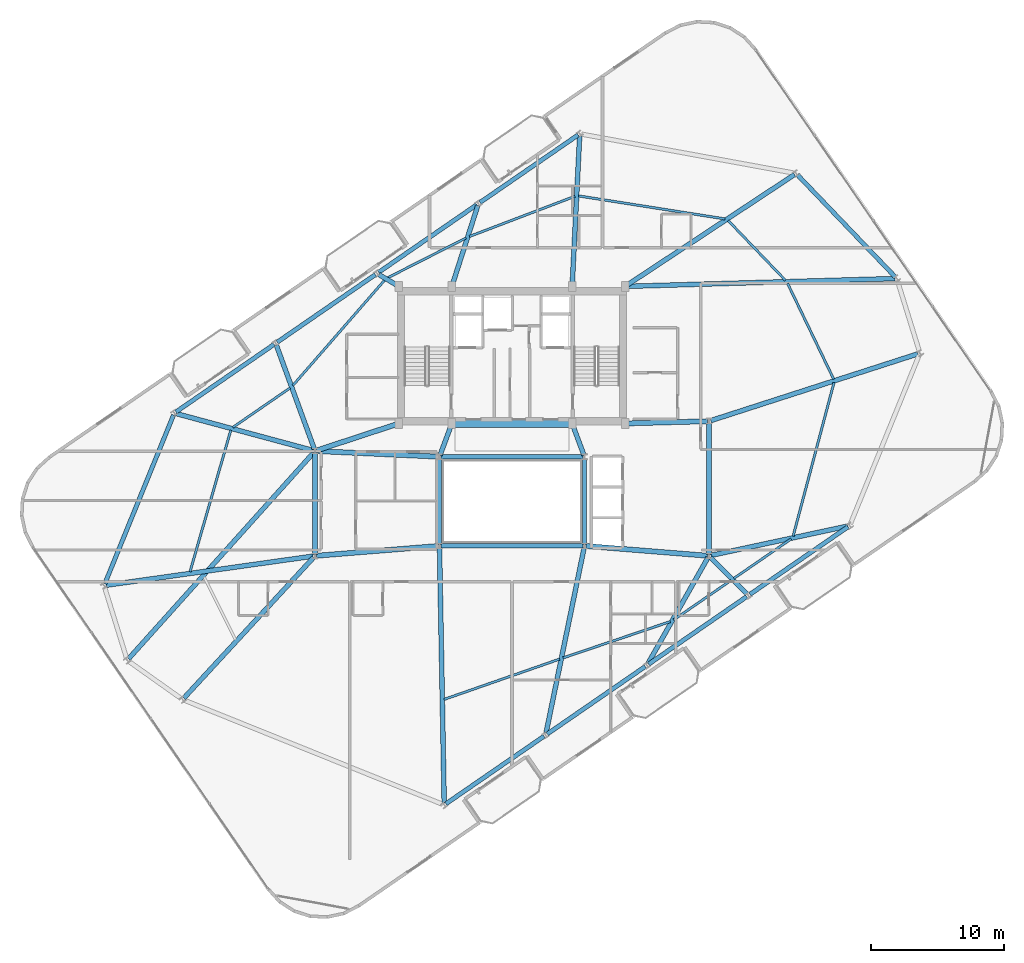
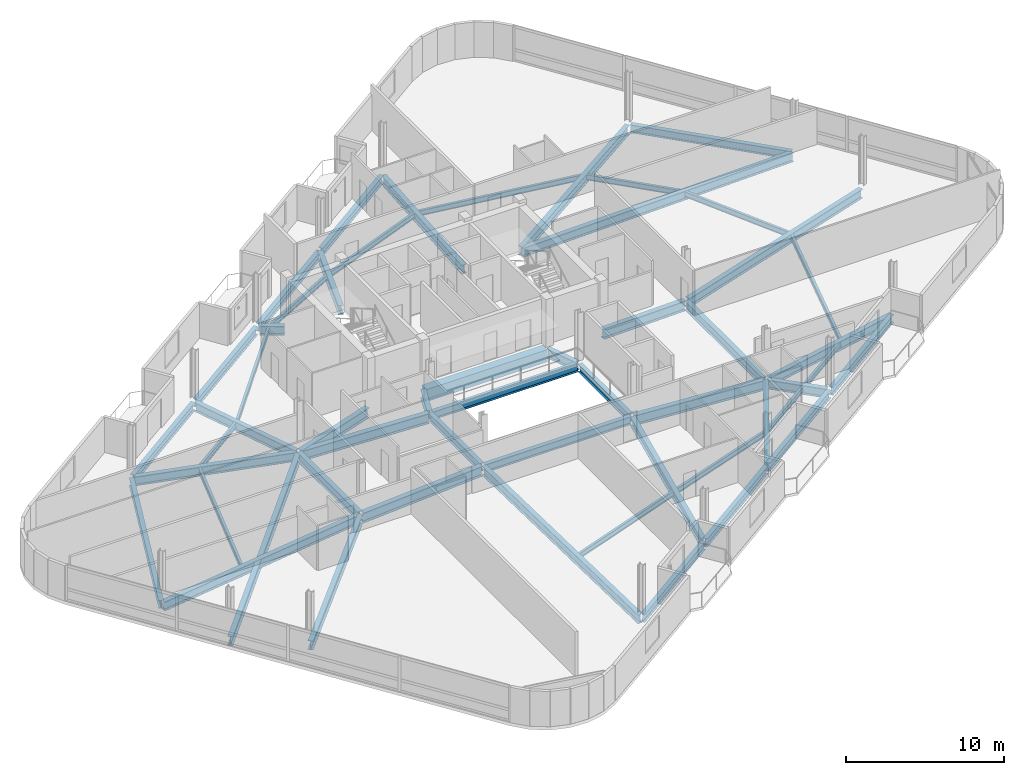
# One storey, part 8 of 23: 53 beams.
"""IFC4 building model written with IfcOpenShell, lengths in metres."""

from ifc_helpers import new_model, si_unit, direction, frame, origin, origin_2d, place, context, subcontext, project, spatial, rectangle, i_section, extrude, material, material_profile, profile_set, type_object, element, save


model = new_model("IFC4")

# Units and contexts
model_context = context("Model", 3, precision=1e-05, world=origin(), true_north=direction((0.0, 1.0)))
body_context = subcontext(model_context, "Body", "Model", "MODEL_VIEW")
ifc_project = project(units=[si_unit("LENGTHUNIT", "METRE"), si_unit("AREAUNIT", "SQUARE_METRE"), si_unit("VOLUMEUNIT", "CUBIC_METRE"), si_unit("PLANEANGLEUNIT", "RADIAN"), si_unit("MASSUNIT", "GRAM", prefix="KILO")], contexts=[model_context])

# Site, building, storey
site_placement = place(None, origin())
site = spatial("IfcSite", under=ifc_project, at=site_placement, CompositionType="ELEMENT")
building_placement = place(site_placement, origin())
building = spatial("IfcBuilding", under=site, at=building_placement, Name="Varnelok Gate Tower", CompositionType="ELEMENT")
storey_placement = place(building_placement, frame((0.0, 0.0, 273.0)))
storey = spatial("IfcBuildingStorey", under=building, at=storey_placement, Name="L70", CompositionType="ELEMENT", Elevation=273.0)

# Beams
ifc_material_1 = material(Name="Structural Steel ASTM A992 Grade 50", Category="steel")
ifc_material_profile_1 = material_profile(ifc_material_1, i_section(OverallWidth=0.180908203125, OverallDepth=0.4169921875, WebThickness=0.010986328125, FlangeThickness=0.018310546875, FilletRadius=0.013916015625, at=origin_2d()), Name="W16X57")
ifc_profile_set_1 = profile_set([ifc_material_profile_1], Name="Structural Steel ASTM A992 Grade 50")
beam_type_1 = type_object("IfcBeamType", Name="BM-JST-W16X57", PredefinedType="JOIST", material=ifc_profile_set_1)
beam_1_placement = place(storey_placement, frame((34.0947265625, 8.011962890625, -0.45849609375), z_axis=(0.944170416985, 0.329457468713, 0.0), x_axis=(-0.329457468713, 0.944170416985, 0.0)))
element("IfcBeam", 1, at=beam_1_placement, inside=storey, type_object=beam_type_1, Name="L70 Sector Floor Joist 1", PredefinedType="JOIST", context=body_context, shape_type="SweptSolid", body=[
    extrude(i_section(OverallWidth=0.180908203125, OverallDepth=0.4169921875, WebThickness=0.010986328125, FlangeThickness=0.018310546875, FilletRadius=0.013916015625, at=origin_2d()), origin(), (0.0, 0.0, 1.0), 9.1962890625),
])
beam_2_placement = place(storey_placement, frame((43.042236328125, 11.1328125, -0.45849609375), z_axis=(0.947127408854, 0.320857712075, 0.0), x_axis=(-0.320857712075, 0.947127408854, 0.0)))
element("IfcBeam", 2, at=beam_2_placement, inside=storey, type_object=beam_type_1, Name="L70 Sector Floor Joist 2", PredefinedType="JOIST", context=body_context, shape_type="SweptSolid", body=[
    extrude(i_section(OverallWidth=0.180908203125, OverallDepth=0.4169921875, WebThickness=0.010986328125, FlangeThickness=0.018310546875, FilletRadius=0.013916015625, at=origin_2d()), origin(), (0.0, 0.0, 1.0), 8.50390625),
])
for number, where, z_axis, x_axis, name in (
    (3, (51.34423828125, 13.985595703125, -0.45849609375), (0.823512453152, 0.567298192756, 0.0), (-0.567298192756, 0.823512453152, 0.0), "L70 Sector Floor Joist 3"),
    (4, (55.876708984375, 17.10791015625, -0.45849609375), (0.823549326959, 0.567244661557, 0.0), (-0.567244661557, 0.823549326959, 0.0), "L70 Sector Floor Joist 4"),
):
    element("IfcBeam", number, at=place(storey_placement, frame(where, z_axis=z_axis, x_axis=x_axis)), inside=storey, type_object=beam_type_1, Name=name, PredefinedType="JOIST", context=body_context, shape_type="SweptSolid", body=[
        extrude(i_section(OverallWidth=0.180908203125, OverallDepth=0.4169921875, WebThickness=0.010986328125, FlangeThickness=0.018310546875, FilletRadius=0.013916015625, at=origin_2d()), origin(), (0.0, 0.0, 1.0), 5.2236328125),
    ])
beam_3_placement = place(storey_placement, frame((60.329833984375, 20.285888671875, -0.45849609375), z_axis=(0.256998327168, 0.966411847937, 0.0), x_axis=(-0.966411847937, 0.256998327168, 0.0)))
element("IfcBeam", 5, at=beam_3_placement, inside=storey, type_object=beam_type_1, Name="L70 Sector Floor Joist 5", PredefinedType="JOIST", context=body_context, shape_type="SweptSolid", body=[
    extrude(i_section(OverallWidth=0.180908203125, OverallDepth=0.4169921875, WebThickness=0.010986328125, FlangeThickness=0.018310546875, FilletRadius=0.013916015625, at=origin_2d()), origin(), (0.0, 0.0, 1.0), 11.941162109375),
])
beam_4_placement = place(storey_placement, frame((63.3740234375, 32.08740234375, -0.45849609375), z_axis=(-0.434222069989, 0.900805858071, 0.0), x_axis=(-0.900805858071, -0.434222069989, 0.0)))
element("IfcBeam", 6, at=beam_4_placement, inside=storey, type_object=beam_type_1, Name="L70 Sector Floor Joist 6", PredefinedType="JOIST", context=body_context, shape_type="SweptSolid", body=[
    extrude(i_section(OverallWidth=0.180908203125, OverallDepth=0.4169921875, WebThickness=0.010986328125, FlangeThickness=0.018310546875, FilletRadius=0.013916015625, at=origin_2d()), origin(), (0.0, 0.0, 1.0), 7.981689453125),
])
beam_5_placement = place(storey_placement, frame((59.75048828125, 39.504638671875, -0.45849609375), z_axis=(-0.691823570561, 0.722066580875, 0.0), x_axis=(-0.722066580875, -0.691823570561, 0.0)))
element("IfcBeam", 7, at=beam_5_placement, inside=storey, type_object=beam_type_1, Name="L70 Sector Floor Joist 7", PredefinedType="JOIST", context=body_context, shape_type="SweptSolid", body=[
    extrude(i_section(OverallWidth=0.180908203125, OverallDepth=0.4169921875, WebThickness=0.010986328125, FlangeThickness=0.018310546875, FilletRadius=0.013916015625, at=origin_2d()), origin(), (0.0, 0.0, 1.0), 6.223876953125),
])
beam_6_placement = place(storey_placement, frame((55.209716796875, 44.12158203125, -0.45849609375), z_axis=(-0.987870886261, 0.155277532432, 0.0), x_axis=(-0.155277532432, -0.987870886261, 0.0)))
element("IfcBeam", 8, at=beam_6_placement, inside=storey, type_object=beam_type_1, Name="L70 Sector Floor Joist 8", PredefinedType="JOIST", context=body_context, shape_type="SweptSolid", body=[
    extrude(i_section(OverallWidth=0.180908203125, OverallDepth=0.4169921875, WebThickness=0.010986328125, FlangeThickness=0.018310546875, FilletRadius=0.013916015625, at=origin_2d()), origin(), (0.0, 0.0, 1.0), 11.14599609375),
])
beam_7_placement = place(storey_placement, frame((43.929931640625, 45.82421875, -0.45849609375), z_axis=(-0.934469964116, -0.356041972477, 0.0), x_axis=(0.356041972477, -0.934469964116, 0.0)))
element("IfcBeam", 9, at=beam_7_placement, inside=storey, type_object=beam_type_1, Name="L70 Sector Floor Joist 9", PredefinedType="JOIST", context=body_context, shape_type="SweptSolid", body=[
    extrude(i_section(OverallWidth=0.180908203125, OverallDepth=0.4169921875, WebThickness=0.010986328125, FlangeThickness=0.018310546875, FilletRadius=0.013916015625, at=origin_2d()), origin(), (0.0, 0.0, 1.0), 8.48828125),
])
beam_8_placement = place(storey_placement, frame((35.7421875, 42.688720703125, -0.45849609375), z_axis=(-0.891506208573, -0.453008476827, 0.0), x_axis=(0.453008476827, -0.891506208573, 0.0)))
element("IfcBeam", 10, at=beam_8_placement, inside=storey, type_object=beam_type_1, Name="L70 Sector Floor Joist 10", PredefinedType="JOIST", context=body_context, shape_type="SweptSolid", body=[
    extrude(i_section(OverallWidth=0.180908203125, OverallDepth=0.4169921875, WebThickness=0.010986328125, FlangeThickness=0.018310546875, FilletRadius=0.013916015625, at=origin_2d()), origin(), (0.0, 0.0, 1.0), 6.612060546875),
])
beam_9_placement = place(storey_placement, frame((29.630615234375, 39.5244140625, -0.45849609375), z_axis=(-0.656851082794, -0.754020327997, 0.0), x_axis=(0.754020327997, -0.656851082794, 0.0)))
element("IfcBeam", 11, at=beam_9_placement, inside=storey, type_object=beam_type_1, Name="L70 Sector Floor Joist 11", PredefinedType="JOIST", context=body_context, shape_type="SweptSolid", body=[
    extrude(i_section(OverallWidth=0.180908203125, OverallDepth=0.4169921875, WebThickness=0.010986328125, FlangeThickness=0.018310546875, FilletRadius=0.013916015625, at=origin_2d()), origin(), (0.0, 0.0, 1.0), 10.5048828125),
])
beam_10_placement = place(storey_placement, frame((22.523193359375, 31.418701171875, -0.45849609375), z_axis=(-0.823527493642, -0.567276358767, 0.0), x_axis=(0.567276358767, -0.823527493642, 0.0)))
element("IfcBeam", 12, at=beam_10_placement, inside=storey, type_object=beam_type_1, Name="L70 Sector Floor Joist 12", PredefinedType="JOIST", context=body_context, shape_type="SweptSolid", body=[
    extrude(i_section(OverallWidth=0.180908203125, OverallDepth=0.4169921875, WebThickness=0.010986328125, FlangeThickness=0.018310546875, FilletRadius=0.013916015625, at=origin_2d()), origin(), (0.0, 0.0, 1.0), 5.223876953125),
])
beam_11_placement = place(storey_placement, frame((18.0673828125, 28.241455078125, -0.45849609375), z_axis=(-0.276806590867, -0.960925653343, 0.0), x_axis=(0.960925653343, -0.276806590867, 0.0)))
element("IfcBeam", 13, at=beam_11_placement, inside=storey, type_object=beam_type_1, Name="L70 Sector Floor Joist 13", PredefinedType="JOIST", context=body_context, shape_type="SweptSolid", body=[
    extrude(i_section(OverallWidth=0.180908203125, OverallDepth=0.4169921875, WebThickness=0.010986328125, FlangeThickness=0.018310546875, FilletRadius=0.013916015625, at=origin_2d()), origin(), (0.0, 0.0, 1.0), 11.067138671875),
])
ifc_material_2 = material(Name="Concrete C60/75", Category="concrete")
ifc_material_profile_2 = material_profile(ifc_material_2, rectangle(XDim=0.60009765625, YDim=0.949951171875, at=origin_2d()), Name="RC950X600")
ifc_profile_set_2 = profile_set([ifc_material_profile_2], Name="Concrete C60/75")
beam_type_2 = type_object("IfcBeamType", Name="BM-LNT-RC950", PredefinedType="LINTEL", material=ifc_profile_set_2)
beam_12_placement = place(storey_placement, frame((34.800048828125, 28.75, -0.72509765625), z_axis=(1.0, 0.0, 0.0), x_axis=(0.0, 1.0, 0.0)))
element("IfcBeam", 14, at=beam_12_placement, inside=storey, type_object=beam_type_2, Name="L70 Core-Atrium Spine Beam 7", PredefinedType="LINTEL", context=body_context, shape_type="SweptSolid", body=[
    extrude(rectangle(XDim=0.60009765625, YDim=0.949951171875, at=origin_2d()), origin(), (0.0, 0.0, 1.0), 8.800048828125),
])
ifc_material_profile_3 = material_profile(ifc_material_1, i_section(OverallWidth=0.35498046875, OverallDepth=0.696044921875, WebThickness=0.015380859375, FlangeThickness=0.02490234375, FilletRadius=0.02001953125, at=origin_2d()), Name="W27X146")
ifc_profile_set_3 = profile_set([ifc_material_profile_3], Name="Structural Steel ASTM A992 Grade 50")
beam_type_3 = type_object("IfcBeamType", Name="BM-PRI-W27X146", PredefinedType="BEAM", material=ifc_profile_set_3)
for number, where, z_axis, x_axis, name in (
    (15, (33.791748046875, 26.362548828125, -0.597900390625), (0.348719329408, 0.937227202602, 0.0), (-0.937227202602, 0.348719329408, 0.0), "L70 Core-Atrium Spine Beam 12"),
    (16, (44.608154296875, 26.362548828125, -0.597900390625), (-0.348719329408, 0.937227202602, 0.0), (-0.937227202602, -0.348719329408, 0.0), "L70 Core-Atrium Spine Beam 13"),
):
    element("IfcBeam", number, at=place(storey_placement, frame(where, z_axis=z_axis, x_axis=x_axis)), inside=storey, type_object=beam_type_3, Name=name, PredefinedType="BEAM", context=body_context, shape_type="SweptSolid", body=[
        extrude(i_section(OverallWidth=0.35498046875, OverallDepth=0.696044921875, WebThickness=0.015380859375, FlangeThickness=0.02490234375, FilletRadius=0.02001953125, at=origin_2d()), origin(), (0.0, 0.0, 1.0), 2.42724609375),
    ])
beam_13_placement = place(storey_placement, frame((24.39990234375, 18.919921875, -0.597900390625), z_axis=(0.0, 1.0, 0.0), x_axis=(-1.0, 0.0, 0.0)))
element("IfcBeam", 17, at=beam_13_placement, inside=storey, type_object=beam_type_3, Name="L70 Core-Atrium Spine Beam 16", PredefinedType="BEAM", context=body_context, shape_type="SweptSolid", body=[
    extrude(i_section(OverallWidth=0.35498046875, OverallDepth=0.696044921875, WebThickness=0.015380859375, FlangeThickness=0.02490234375, FilletRadius=0.02001953125, at=origin_2d()), origin(), (0.0, 0.0, 1.0), 7.64013671875),
])
beam_14_placement = place(storey_placement, frame((54.0, 18.919921875, -0.597900390625), z_axis=(0.0, 1.0, 0.0), x_axis=(-1.0, 0.0, 0.0)))
element("IfcBeam", 18, at=beam_14_placement, inside=storey, type_object=beam_type_3, Name="L70 Core-Atrium Spine Beam 20", PredefinedType="BEAM", context=body_context, shape_type="SweptSolid", body=[
    extrude(i_section(OverallWidth=0.35498046875, OverallDepth=0.696044921875, WebThickness=0.015380859375, FlangeThickness=0.02490234375, FilletRadius=0.02001953125, at=origin_2d()), origin(), (0.0, 0.0, 1.0), 9.880126953125),
])
beam_15_placement = place(storey_placement, frame((33.752685546875, 19.39990234375, -0.597900390625), z_axis=(0.018349623406, -0.999831631486, 0.0), x_axis=(0.999831631486, 0.018349623406, 0.0)))
element("IfcBeam", 19, at=beam_15_placement, inside=storey, type_object=beam_type_3, Name="L70 Radial Floor Girder 1", PredefinedType="BEAM", context=body_context, shape_type="SweptSolid", body=[
    extrude(i_section(OverallWidth=0.35498046875, OverallDepth=0.696044921875, WebThickness=0.015380859375, FlangeThickness=0.02490234375, FilletRadius=0.02001953125, at=origin_2d()), origin(), (0.0, 0.0, 1.0), 19.17236328125),
])
beam_16_placement = place(storey_placement, frame((44.619873046875, 19.403076171875, -0.597900390625), z_axis=(-0.201445575576, -0.979499709077, 0.0), x_axis=(0.979499709077, -0.201445575576, 0.0)))
element("IfcBeam", 20, at=beam_16_placement, inside=storey, type_object=beam_type_3, Name="L70 Radial Floor Girder 2", PredefinedType="BEAM", context=body_context, shape_type="SweptSolid", body=[
    extrude(i_section(OverallWidth=0.35498046875, OverallDepth=0.696044921875, WebThickness=0.015380859375, FlangeThickness=0.02490234375, FilletRadius=0.02001953125, at=origin_2d()), origin(), (0.0, 0.0, 1.0), 14.2197265625),
])
beam_17_placement = place(storey_placement, frame((53.926025390625, 18.66943359375, -0.597900390625), z_axis=(-0.49272782428, -0.870183481331, 0.0), x_axis=(0.870183481331, -0.49272782428, 0.0)))
element("IfcBeam", 21, at=beam_17_placement, inside=storey, type_object=beam_type_3, Name="L70 Radial Floor Girder 3", PredefinedType="BEAM", context=body_context, shape_type="SweptSolid", body=[
    extrude(i_section(OverallWidth=0.35498046875, OverallDepth=0.696044921875, WebThickness=0.015380859375, FlangeThickness=0.02490234375, FilletRadius=0.02001953125, at=origin_2d()), origin(), (0.0, 0.0, 1.0), 9.151611328125),
])
beam_18_placement = place(storey_placement, frame((54.105712890625, 18.693603515625, -0.597900390625), z_axis=(0.705068615511, -0.709139088911, 0.0), x_axis=(0.709139088911, 0.705068615511, 0.0)))
element("IfcBeam", 22, at=beam_18_placement, inside=storey, type_object=beam_type_3, Name="L70 Radial Floor Girder 4", PredefinedType="BEAM", context=body_context, shape_type="SweptSolid", body=[
    extrude(i_section(OverallWidth=0.35498046875, OverallDepth=0.696044921875, WebThickness=0.015380859375, FlangeThickness=0.02490234375, FilletRadius=0.02001953125, at=origin_2d()), origin(), (0.0, 0.0, 1.0), 3.898681640625),
])
beam_19_placement = place(storey_placement, frame((54.146728515625, 18.83154296875, -0.597900390625), z_axis=(0.977750075893, 0.209773184872, 0.0), x_axis=(-0.209773184872, 0.977750075893, 0.0)))
element("IfcBeam", 23, at=beam_19_placement, inside=storey, type_object=beam_type_3, Name="L70 Radial Floor Girder 5", PredefinedType="BEAM", context=body_context, shape_type="SweptSolid", body=[
    extrude(i_section(OverallWidth=0.35498046875, OverallDepth=0.696044921875, WebThickness=0.015380859375, FlangeThickness=0.02490234375, FilletRadius=0.02001953125, at=origin_2d()), origin(), (0.0, 0.0, 1.0), 10.518798828125),
])
beam_20_placement = place(storey_placement, frame((54.142822265625, 28.966064453125, -0.597900390625), z_axis=(0.95177048337, 0.306810930356, 0.0), x_axis=(-0.306810930356, 0.95177048337, 0.0)))
element("IfcBeam", 24, at=beam_20_placement, inside=storey, type_object=beam_type_3, Name="L70 Radial Floor Girder 6", PredefinedType="BEAM", context=body_context, shape_type="SweptSolid", body=[
    extrude(i_section(OverallWidth=0.35498046875, OverallDepth=0.696044921875, WebThickness=0.015380859375, FlangeThickness=0.02490234375, FilletRadius=0.02001953125, at=origin_2d()), origin(), (0.0, 0.0, 1.0), 16.3603515625),
])
beam_21_placement = place(storey_placement, frame((47.849853515625, 39.054443359375, -0.597900390625), z_axis=(0.999576755953, 0.029091389778, 0.0), x_axis=(-0.029091389778, 0.999576755953, 0.0)))
element("IfcBeam", 25, at=beam_21_placement, inside=storey, type_object=beam_type_3, Name="L70 Radial Floor Girder 7", PredefinedType="BEAM", context=body_context, shape_type="SweptSolid", body=[
    extrude(i_section(OverallWidth=0.35498046875, OverallDepth=0.696044921875, WebThickness=0.015380859375, FlangeThickness=0.02490234375, FilletRadius=0.02001953125, at=origin_2d()), origin(), (0.0, 0.0, 1.0), 20.12451171875),
])
beam_22_placement = place(storey_placement, frame((47.8251953125, 39.1328125, -0.597900390625), z_axis=(0.834499250809, 0.551009074697, 0.0), x_axis=(-0.551009074697, 0.834499250809, 0.0)))
element("IfcBeam", 26, at=beam_22_placement, inside=storey, type_object=beam_type_3, Name="L70 Radial Floor Girder 8", PredefinedType="BEAM", context=body_context, shape_type="SweptSolid", body=[
    extrude(i_section(OverallWidth=0.35498046875, OverallDepth=0.696044921875, WebThickness=0.015380859375, FlangeThickness=0.02490234375, FilletRadius=0.02001953125, at=origin_2d()), origin(), (0.0, 0.0, 1.0), 15.102783203125),
])
beam_23_placement = place(storey_placement, frame((43.7275390625, 39.19970703125, -0.597900390625), z_axis=(0.049860312634, 0.998756201094, 0.0), x_axis=(-0.998756201094, 0.049860312634, 0.0)))
element("IfcBeam", 27, at=beam_23_placement, inside=storey, type_object=beam_type_3, Name="L70 Radial Floor Girder 9", PredefinedType="BEAM", context=body_context, shape_type="SweptSolid", body=[
    extrude(i_section(OverallWidth=0.35498046875, OverallDepth=0.696044921875, WebThickness=0.015380859375, FlangeThickness=0.02490234375, FilletRadius=0.02001953125, at=origin_2d()), origin(), (0.0, 0.0, 1.0), 11.18359375),
])
beam_24_placement = place(storey_placement, frame((34.725830078125, 39.19287109375, -0.597900390625), z_axis=(0.305315663047, 0.952251198948, 0.0), x_axis=(-0.952251198948, 0.305315663047, 0.0)))
element("IfcBeam", 28, at=beam_24_placement, inside=storey, type_object=beam_type_3, Name="L70 Radial Floor Girder 10", PredefinedType="BEAM", context=body_context, shape_type="SweptSolid", body=[
    extrude(i_section(OverallWidth=0.35498046875, OverallDepth=0.696044921875, WebThickness=0.015380859375, FlangeThickness=0.02490234375, FilletRadius=0.02001953125, at=origin_2d()), origin(), (0.0, 0.0, 1.0), 6.23388671875),
])
beam_25_placement = place(storey_placement, frame((30.571044921875, 39.12646484375, -0.597900390625), z_axis=(-0.859971198292, 0.510342569367, 0.0), x_axis=(-0.510342569367, -0.859971198292, 0.0)))
element("IfcBeam", 29, at=beam_25_placement, inside=storey, type_object=beam_type_3, Name="L70 Radial Floor Girder 11", PredefinedType="BEAM", context=body_context, shape_type="SweptSolid", body=[
    extrude(i_section(OverallWidth=0.35498046875, OverallDepth=0.696044921875, WebThickness=0.015380859375, FlangeThickness=0.02490234375, FilletRadius=0.02001953125, at=origin_2d()), origin(), (0.0, 0.0, 1.0), 1.6103515625),
])
beam_26_placement = place(storey_placement, frame((24.348388671875, 26.82080078125, -0.597900390625), z_axis=(-0.343337291508, 0.939212172121, 0.0), x_axis=(-0.939212172121, -0.343337291508, 0.0)))
element("IfcBeam", 30, at=beam_26_placement, inside=storey, type_object=beam_type_3, Name="L70 Radial Floor Girder 12", PredefinedType="BEAM", context=body_context, shape_type="SweptSolid", body=[
    extrude(i_section(OverallWidth=0.35498046875, OverallDepth=0.696044921875, WebThickness=0.015380859375, FlangeThickness=0.02490234375, FilletRadius=0.02001953125, at=origin_2d()), origin(), (0.0, 0.0, 1.0), 8.32177734375),
])
beam_27_placement = place(storey_placement, frame((24.255126953125, 26.718994140625, -0.597900390625), z_axis=(-0.965561980059, 0.260173139782, 0.0), x_axis=(-0.260173139782, -0.965561980059, 0.0)))
element("IfcBeam", 31, at=beam_27_placement, inside=storey, type_object=beam_type_3, Name="L70 Radial Floor Girder 13", PredefinedType="BEAM", context=body_context, shape_type="SweptSolid", body=[
    extrude(i_section(OverallWidth=0.35498046875, OverallDepth=0.696044921875, WebThickness=0.015380859375, FlangeThickness=0.02490234375, FilletRadius=0.02001953125, at=origin_2d()), origin(), (0.0, 0.0, 1.0), 10.6552734375),
])
beam_28_placement = place(storey_placement, frame((24.25146484375, 18.779052734375, -0.597900390625), z_axis=(-0.990242546669, -0.139354579277, 0.0), x_axis=(0.139354579277, -0.990242546669, 0.0)))
element("IfcBeam", 32, at=beam_28_placement, inside=storey, type_object=beam_type_3, Name="L70 Radial Floor Girder 14", PredefinedType="BEAM", context=body_context, shape_type="SweptSolid", body=[
    extrude(i_section(OverallWidth=0.35498046875, OverallDepth=0.696044921875, WebThickness=0.015380859375, FlangeThickness=0.02490234375, FilletRadius=0.02001953125, at=origin_2d()), origin(), (0.0, 0.0, 1.0), 15.713134765625),
])
beam_29_placement = place(storey_placement, frame((24.2998046875, 26.568359375, -0.597900390625), z_axis=(-0.668020095308, -0.744143233702, 0.0), x_axis=(0.744143233702, -0.668020095308, 0.0)))
element("IfcBeam", 33, at=beam_29_placement, inside=storey, type_object=beam_type_3, Name="L70 Radial Floor Girder 15", PredefinedType="BEAM", context=body_context, shape_type="SweptSolid", body=[
    extrude(i_section(OverallWidth=0.35498046875, OverallDepth=0.696044921875, WebThickness=0.015380859375, FlangeThickness=0.02490234375, FilletRadius=0.02001953125, at=origin_2d()), origin(), (0.0, 0.0, 1.0), 20.83056640625),
])
beam_30_placement = place(storey_placement, frame((24.29833984375, 18.689697265625, -0.597900390625), z_axis=(-0.677969926739, -0.73508963973, 0.0), x_axis=(0.73508963973, -0.677969926739, 0.0)))
element("IfcBeam", 34, at=beam_30_placement, inside=storey, type_object=beam_type_3, Name="L70 Radial Floor Girder 16", PredefinedType="BEAM", context=body_context, shape_type="SweptSolid", body=[
    extrude(i_section(OverallWidth=0.35498046875, OverallDepth=0.696044921875, WebThickness=0.015380859375, FlangeThickness=0.02490234375, FilletRadius=0.02001953125, at=origin_2d()), origin(), (0.0, 0.0, 1.0), 14.386962890625),
])
ifc_material_profile_4 = material_profile(ifc_material_1, i_section(OverallWidth=0.381103515625, OverallDepth=0.77294921875, WebThickness=0.0166015625, FlangeThickness=0.027099609375, FilletRadius=0.02197265625, at=origin_2d()), Name="W30X173")
ifc_profile_set_4 = profile_set([ifc_material_profile_4], Name="Structural Steel ASTM A992 Grade 50")
beam_type_4 = type_object("IfcBeamType", Name="BM-PRI-W30X173", PredefinedType="BEAM", material=ifc_profile_set_4)
beam_31_placement = place(storey_placement, frame((24.51953125, 18.8095703125, -0.636474609375), z_axis=(0.996799206292, 0.07994587128, 0.0), x_axis=(-0.07994587128, 0.996799206292, 0.0)))
element("IfcBeam", 35, at=beam_31_placement, inside=storey, type_object=beam_type_4, Name="L70 Core-Atrium Spine Beam 14", PredefinedType="BEAM", context=body_context, shape_type="SweptSolid", body=[
    extrude(i_section(OverallWidth=0.381103515625, OverallDepth=0.77294921875, WebThickness=0.0166015625, FlangeThickness=0.027099609375, FilletRadius=0.02197265625, at=origin_2d()), origin(), (0.0, 0.0, 1.0), 9.14013671875),
])
beam_32_placement = place(storey_placement, frame((24.52001953125, 26.674560546875, -0.636474609375), z_axis=(0.99894427814, -0.045938319209, 0.0), x_axis=(0.045938319209, 0.99894427814, 0.0)))
element("IfcBeam", 36, at=beam_32_placement, inside=storey, type_object=beam_type_4, Name="L70 Core-Atrium Spine Beam 15", PredefinedType="BEAM", context=body_context, shape_type="SweptSolid", body=[
    extrude(i_section(OverallWidth=0.381103515625, OverallDepth=0.77294921875, WebThickness=0.0166015625, FlangeThickness=0.027099609375, FilletRadius=0.02197265625, at=origin_2d()), origin(), (0.0, 0.0, 1.0), 9.11962890625),
])
beam_33_placement = place(storey_placement, frame((24.513916015625, 26.717529296875, -0.636474609375), z_axis=(0.950041943788, 0.312122259768, 0.0), x_axis=(-0.312122259768, 0.950041943788, 0.0)))
element("IfcBeam", 37, at=beam_33_placement, inside=storey, type_object=beam_type_4, Name="L70 Core-Atrium Spine Beam 17", PredefinedType="BEAM", context=body_context, shape_type="SweptSolid", body=[
    extrude(i_section(OverallWidth=0.381103515625, OverallDepth=0.77294921875, WebThickness=0.0166015625, FlangeThickness=0.027099609375, FilletRadius=0.02197265625, at=origin_2d()), origin(), (0.0, 0.0, 1.0), 6.391357421875),
])
beam_34_placement = place(storey_placement, frame((44.76953125, 19.540283203125, -0.636474609375), z_axis=(0.996799206292, -0.07994587128, 0.0), x_axis=(0.07994587128, 0.996799206292, 0.0)))
element("IfcBeam", 38, at=beam_34_placement, inside=storey, type_object=beam_type_4, Name="L70 Core-Atrium Spine Beam 18", PredefinedType="BEAM", context=body_context, shape_type="SweptSolid", body=[
    extrude(i_section(OverallWidth=0.381103515625, OverallDepth=0.77294921875, WebThickness=0.0166015625, FlangeThickness=0.027099609375, FilletRadius=0.02197265625, at=origin_2d()), origin(), (0.0, 0.0, 1.0), 9.14013671875),
])
beam_35_placement = place(storey_placement, frame((47.820068359375, 28.753173828125, -0.636474609375), z_axis=(0.999635880609, 0.026983443053, 0.0), x_axis=(-0.026983443053, 0.999635880609, 0.0)))
element("IfcBeam", 39, at=beam_35_placement, inside=storey, type_object=beam_type_4, Name="L70 Core-Atrium Spine Beam 19", PredefinedType="BEAM", context=body_context, shape_type="SweptSolid", body=[
    extrude(i_section(OverallWidth=0.381103515625, OverallDepth=0.77294921875, WebThickness=0.0166015625, FlangeThickness=0.027099609375, FilletRadius=0.02197265625, at=origin_2d()), origin(), (0.0, 0.0, 1.0), 6.06201171875),
])
ifc_material_profile_5 = material_profile(ifc_material_1, i_section(OverallWidth=0.323974609375, OverallDepth=0.611083984375, WebThickness=0.0126953125, FlangeThickness=0.01904296875, FilletRadius=0.01806640625, at=origin_2d()), Name="W24X104")
ifc_profile_set_5 = profile_set([ifc_material_profile_5], Name="Structural Steel ASTM A992 Grade 50")
beam_type_5 = type_object("IfcBeamType", Name="BM-SPN-W24X104", PredefinedType="SPANDREL", material=ifc_profile_set_5)
for number, where, z_axis, x_axis, name in (
    (40, (33.8701171875, 19.550048828125, -0.555419921875), (1.0, 0.0, 0.0), (0.0, 1.0, 0.0), "L70 Core-Atrium Spine Beam 8"),
    (41, (33.8701171875, 26.25, -0.555419921875), (1.0, 0.0, 0.0), (0.0, 1.0, 0.0), "L70 Core-Atrium Spine Beam 9"),
):
    element("IfcBeam", number, at=place(storey_placement, frame(where, z_axis=z_axis, x_axis=x_axis)), inside=storey, type_object=beam_type_5, Name=name, PredefinedType="SPANDREL", context=body_context, shape_type="SweptSolid", body=[
        extrude(i_section(OverallWidth=0.323974609375, OverallDepth=0.611083984375, WebThickness=0.0126953125, FlangeThickness=0.01904296875, FilletRadius=0.01806640625, at=origin_2d()), origin(), (0.0, 0.0, 1.0), 10.659912109375),
    ])
for number, where, z_axis, x_axis, name in (
    (42, (33.75, 19.669921875, -0.555419921875), (0.0, 1.0, 0.0), (-1.0, 0.0, 0.0), "L70 Core-Atrium Spine Beam 10"),
    (43, (44.64990234375, 19.669921875, -0.555419921875), (0.0, 1.0, 0.0), (-1.0, 0.0, 0.0), "L70 Core-Atrium Spine Beam 11"),
):
    element("IfcBeam", number, at=place(storey_placement, frame(where, z_axis=z_axis, x_axis=x_axis)), inside=storey, type_object=beam_type_5, Name=name, PredefinedType="SPANDREL", context=body_context, shape_type="SweptSolid", body=[
        extrude(i_section(OverallWidth=0.323974609375, OverallDepth=0.611083984375, WebThickness=0.0126953125, FlangeThickness=0.01904296875, FilletRadius=0.01806640625, at=origin_2d()), origin(), (0.0, 0.0, 1.0), 6.4599609375),
    ])
for number, where, z_axis, x_axis, name in (
    (44, (34.23095703125, 0.166015625, -0.555419921875), (0.823540167677, 0.567257959153, 0.0), (-0.567257959153, 0.823540167677, 0.0), "L70 Perimeter Spandrel Beam 1"),
    (45, (41.8486328125, 5.4130859375, -0.555419921875), (0.823540167677, 0.567257959153, 0.0), (-0.567257959153, 0.823540167677, 0.0), "L70 Perimeter Spandrel Beam 2"),
    (46, (49.46630859375, 10.660400390625, -0.555419921875), (0.823540167677, 0.567257959153, 0.0), (-0.567257959153, 0.823540167677, 0.0), "L70 Perimeter Spandrel Beam 3"),
    (47, (57.083984375, 15.90771484375, -0.555419921875), (0.823540167677, 0.567257959153, 0.0), (-0.567257959153, 0.823540167677, 0.0), "L70 Perimeter Spandrel Beam 4"),
):
    element("IfcBeam", number, at=place(storey_placement, frame(where, z_axis=z_axis, x_axis=x_axis)), inside=storey, type_object=beam_type_5, Name=name, PredefinedType="SPANDREL", context=body_context, shape_type="SweptSolid", body=[
        extrude(i_section(OverallWidth=0.323974609375, OverallDepth=0.611083984375, WebThickness=0.0126953125, FlangeThickness=0.01904296875, FilletRadius=0.01806640625, at=origin_2d()), origin(), (0.0, 0.0, 1.0), 8.949951171875),
    ])
beam_36_placement = place(storey_placement, frame((68.01171875, 39.75244140625, -0.555419921875), z_axis=(-0.691775667186, 0.722112474819, 0.0), x_axis=(-0.722112474819, -0.691775667186, 0.0)))
element("IfcBeam", 48, at=beam_36_placement, inside=storey, type_object=beam_type_5, Name="L70 Perimeter Spandrel Beam 7", PredefinedType="SPANDREL", context=body_context, shape_type="SweptSolid", body=[
    extrude(i_section(OverallWidth=0.323974609375, OverallDepth=0.611083984375, WebThickness=0.0126953125, FlangeThickness=0.01904296875, FilletRadius=0.01806640625, at=origin_2d()), origin(), (0.0, 0.0, 1.0), 10.630859375),
])
for number, where, z_axis, x_axis, name in (
    (49, (44.169189453125, 50.43408203125, -0.555419921875), (-0.823548945124, -0.567245215921, 0.0), (0.567245215921, -0.823548945124, 0.0), "L70 Perimeter Spandrel Beam 9"),
    (50, (36.551513671875, 45.18701171875, -0.555419921875), (-0.823536202099, -0.567263716301, 0.0), (0.567263716301, -0.823536202099, 0.0), "L70 Perimeter Spandrel Beam 10"),
):
    element("IfcBeam", number, at=place(storey_placement, frame(where, z_axis=z_axis, x_axis=x_axis)), inside=storey, type_object=beam_type_5, Name=name, PredefinedType="SPANDREL", context=body_context, shape_type="SweptSolid", body=[
        extrude(i_section(OverallWidth=0.323974609375, OverallDepth=0.611083984375, WebThickness=0.0126953125, FlangeThickness=0.01904296875, FilletRadius=0.01806640625, at=origin_2d()), origin(), (0.0, 0.0, 1.0), 8.9501953125),
    ])
beam_37_placement = place(storey_placement, frame((28.93359375, 39.939697265625, -0.555419921875), z_axis=(-0.823527424215, -0.567276459555, 0.0), x_axis=(0.567276459555, -0.823527424215, 0.0)))
element("IfcBeam", 51, at=beam_37_placement, inside=storey, type_object=beam_type_5, Name="L70 Perimeter Spandrel Beam 11", PredefinedType="SPANDREL", context=body_context, shape_type="SweptSolid", body=[
    extrude(i_section(OverallWidth=0.323974609375, OverallDepth=0.611083984375, WebThickness=0.0126953125, FlangeThickness=0.01904296875, FilletRadius=0.01806640625, at=origin_2d()), origin(), (0.0, 0.0, 1.0), 8.949951171875),
])
beam_38_placement = place(storey_placement, frame((21.316162109375, 34.6923828125, -0.555419921875), z_axis=(-0.823548945124, -0.567245215921, 0.0), x_axis=(0.567245215921, -0.823548945124, 0.0)))
element("IfcBeam", 52, at=beam_38_placement, inside=storey, type_object=beam_type_5, Name="L70 Perimeter Spandrel Beam 12", PredefinedType="SPANDREL", context=body_context, shape_type="SweptSolid", body=[
    extrude(i_section(OverallWidth=0.323974609375, OverallDepth=0.611083984375, WebThickness=0.0126953125, FlangeThickness=0.01904296875, FilletRadius=0.01806640625, at=origin_2d()), origin(), (0.0, 0.0, 1.0), 8.9501953125),
])
beam_39_placement = place(storey_placement, frame((13.765380859375, 29.391357421875, -0.555419921875), z_axis=(-0.377174006677, -0.926142412746, 0.0), x_axis=(0.926142412746, -0.377174006677, 0.0)))
element("IfcBeam", 53, at=beam_39_placement, inside=storey, type_object=beam_type_5, Name="L70 Perimeter Spandrel Beam 13", PredefinedType="SPANDREL", context=body_context, shape_type="SweptSolid", body=[
    extrude(i_section(OverallWidth=0.323974609375, OverallDepth=0.611083984375, WebThickness=0.0126953125, FlangeThickness=0.01904296875, FilletRadius=0.01806640625, at=origin_2d()), origin(), (0.0, 0.0, 1.0), 13.6953125),
])

save(model, "model.ifc")
